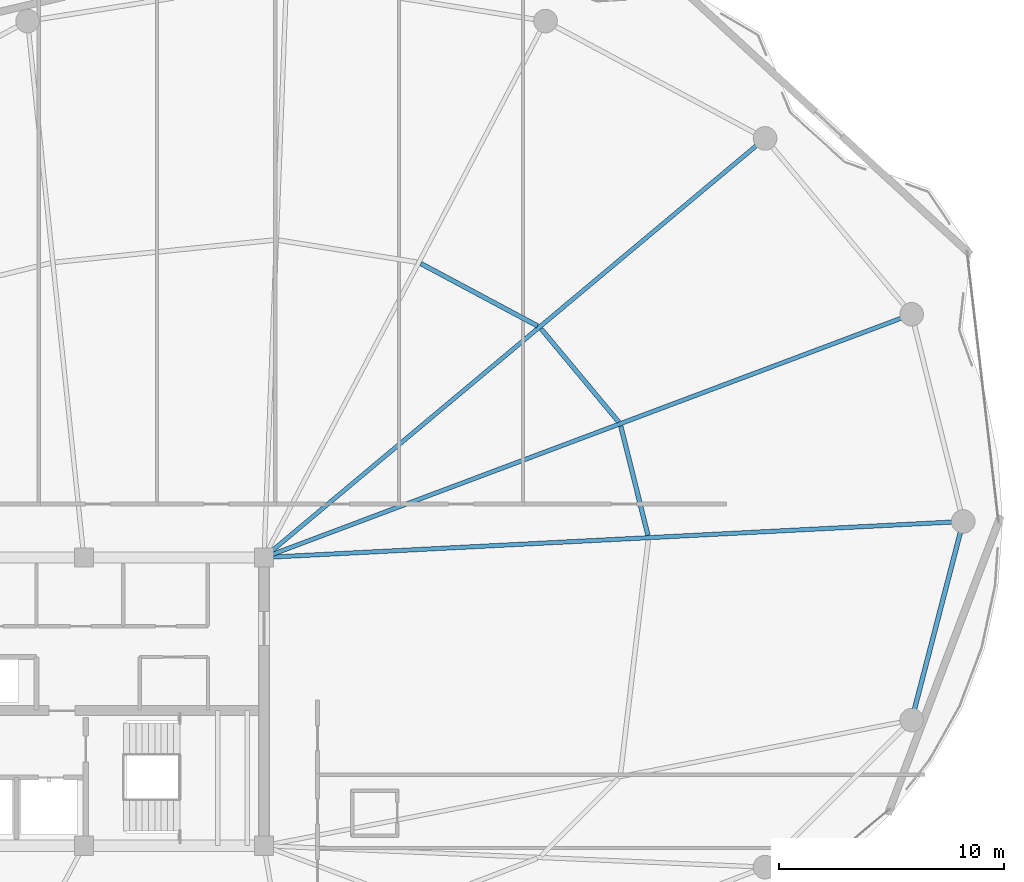
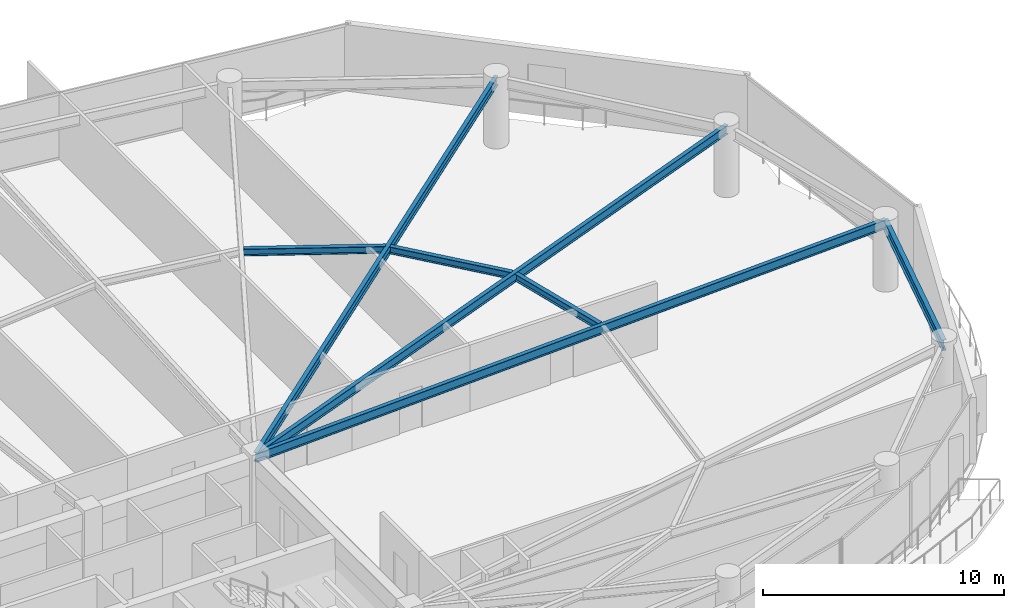
# One storey, part 15 of 31: 7 beams.
"""IFC4 building model written with IfcOpenShell, lengths in metres."""

from ifc_helpers import new_model, si_unit, direction, frame, origin, origin_2d, place, context, subcontext, project, spatial, i_section, extrude, material, material_profile, profile_set, type_object, element, save


model = new_model("IFC4")

# Units and contexts
model_context = context("Model", 3, precision=1e-05, world=origin(), true_north=direction((0.0, 1.0)))
body_context = subcontext(model_context, "Body", "Model", "MODEL_VIEW")
ifc_project = project(units=[si_unit("LENGTHUNIT", "METRE"), si_unit("AREAUNIT", "SQUARE_METRE"), si_unit("VOLUMEUNIT", "CUBIC_METRE"), si_unit("PLANEANGLEUNIT", "RADIAN"), si_unit("MASSUNIT", "GRAM", prefix="KILO")], contexts=[model_context])

# Site, building, storey
site_placement = place(None, origin())
site = spatial("IfcSite", under=ifc_project, at=site_placement, CompositionType="ELEMENT")
building_placement = place(site_placement, origin())
building = spatial("IfcBuilding", under=site, at=building_placement, Name="Kazevale Care Tower and Concert Hall", CompositionType="ELEMENT")
storey_placement = place(building_placement, frame((0.0, 0.0, 217.199951171875)))
storey = spatial("IfcBuildingStorey", under=building, at=storey_placement, Name="L57", CompositionType="ELEMENT", Elevation=217.199951171875)

# Beams
ifc_material = material(Name="Steel ASTM A572 Gr 50", Category="steel")
ifc_material_profile_1 = material_profile(ifc_material, i_section(OverallWidth=0.19091796875, OverallDepth=0.4599609375, WebThickness=0.010009765625, FlangeThickness=0.01611328125, at=origin_2d()), Name="W460x82")
ifc_profile_set_1 = profile_set([ifc_material_profile_1], Name="Steel ASTM A572 Gr 50")
beam_type_1 = type_object("IfcBeamType", Name="Radial Floor Beam W460x82", PredefinedType="BEAM", material=ifc_profile_set_1)
beam_1_placement = place(storey_placement, frame((44.0, 36.39990234375, 3.130126953125), z_axis=(0.998674821251, 0.051464564506, 0.0), x_axis=(-0.051464564506, 0.998674821251, 0.0)))
element("IfcBeam", 1, at=beam_1_placement, inside=storey, type_object=beam_type_1, Name="beam:L57:rad:01", PredefinedType="BEAM", context=body_context, shape_type="SweptSolid", body=[
    extrude(i_section(OverallWidth=0.19091796875, OverallDepth=0.4599609375, WebThickness=0.010009765625, FlangeThickness=0.01611328125, at=origin_2d()), origin(), (0.0, 0.0, 1.0), 31.09130859375),
])
beam_2_placement = place(storey_placement, frame((44.0, 36.39990234375, 3.130126953125), z_axis=(0.936168070124, 0.351552762015, 0.0), x_axis=(-0.351552762015, 0.936168070124, 0.0)))
element("IfcBeam", 2, at=beam_2_placement, inside=storey, type_object=beam_type_1, Name="beam:L57:rad:02", PredefinedType="BEAM", context=body_context, shape_type="SweptSolid", body=[
    extrude(i_section(OverallWidth=0.19091796875, OverallDepth=0.4599609375, WebThickness=0.010009765625, FlangeThickness=0.01611328125, at=origin_2d()), origin(), (0.0, 0.0, 1.0), 30.720947265625),
])
beam_3_placement = place(storey_placement, frame((44.0, 36.39990234375, 3.130126953125), z_axis=(0.767059624015, 0.64157582031, 0.0), x_axis=(-0.64157582031, 0.767059624015, 0.0)))
element("IfcBeam", 3, at=beam_3_placement, inside=storey, type_object=beam_type_1, Name="beam:L57:rad:03", PredefinedType="BEAM", context=body_context, shape_type="SweptSolid", body=[
    extrude(i_section(OverallWidth=0.19091796875, OverallDepth=0.4599609375, WebThickness=0.010009765625, FlangeThickness=0.01611328125, at=origin_2d()), origin(), (0.0, 0.0, 1.0), 29.0068359375),
])
ifc_material_profile_2 = material_profile(ifc_material, i_section(OverallWidth=0.205078125, OverallDepth=0.35400390625, WebThickness=0.009521484375, FlangeThickness=0.016845703125, at=origin_2d()), Name="W360x79")
ifc_profile_set_2 = profile_set([ifc_material_profile_2], Name="Steel ASTM A572 Gr 50")
beam_type_2 = type_object("IfcBeamType", Name="Secondary Floor Joist W360x79", PredefinedType="JOIST", material=ifc_profile_set_2)
beam_4_placement = place(storey_placement, frame((61.052001953125, 37.382080078125, 3.18310546875), z_axis=(-0.241594204931, 0.970377369967, 0.0), x_axis=(-0.970377369967, -0.241594204931, 0.0)))
element("IfcBeam", 4, at=beam_4_placement, inside=storey, type_object=beam_type_2, Name="beam:L57:joist:01", PredefinedType="JOIST", context=body_context, shape_type="SweptSolid", body=[
    extrude(i_section(OverallWidth=0.205078125, OverallDepth=0.35400390625, WebThickness=0.009521484375, FlangeThickness=0.016845703125, at=origin_2d()), origin(), (0.0, 0.0, 1.0), 5.004150390625),
])
beam_5_placement = place(storey_placement, frame((59.7509765625, 42.4208984375, 3.18310546875), z_axis=(-0.640295940788, 0.768128314939, 0.0), x_axis=(-0.768128314939, -0.640295940788, 0.0)))
element("IfcBeam", 5, at=beam_5_placement, inside=storey, type_object=beam_type_2, Name="beam:L57:joist:02", PredefinedType="JOIST", context=body_context, shape_type="SweptSolid", body=[
    extrude(i_section(OverallWidth=0.205078125, OverallDepth=0.35400390625, WebThickness=0.009521484375, FlangeThickness=0.016845703125, at=origin_2d()), origin(), (0.0, 0.0, 1.0), 5.3818359375),
])
beam_6_placement = place(storey_placement, frame((56.14501953125, 46.68505859375, 3.18310546875), z_axis=(-0.881943890935, 0.471354403016, 0.0), x_axis=(-0.471354403016, -0.881943890935, 0.0)))
element("IfcBeam", 6, at=beam_6_placement, inside=storey, type_object=beam_type_2, Name="beam:L57:joist:03", PredefinedType="JOIST", context=body_context, shape_type="SweptSolid", body=[
    extrude(i_section(OverallWidth=0.205078125, OverallDepth=0.35400390625, WebThickness=0.009521484375, FlangeThickness=0.016845703125, at=origin_2d()), origin(), (0.0, 0.0, 1.0), 5.869873046875),
])
ifc_material_profile_3 = material_profile(ifc_material, i_section(OverallWidth=0.208984375, OverallDepth=0.532958984375, WebThickness=0.01025390625, FlangeThickness=0.015625, at=origin_2d()), Name="W530x92")
ifc_profile_set_3 = profile_set([ifc_material_profile_3], Name="Steel ASTM A572 Gr 50")
beam_type_3 = type_object("IfcBeamType", Name="Upper Ring Beam W530x92", PredefinedType="BEAM", material=ifc_profile_set_3)
beam_7_placement = place(storey_placement, frame((72.760009765625, 29.179931640625, 3.093505859375), z_axis=(0.251307095899, 0.96790740443, 0.0), x_axis=(-0.96790740443, 0.251307095899, 0.0)))
element("IfcBeam", 7, at=beam_7_placement, inside=storey, type_object=beam_type_3, Name="beam:L57:ring:16", PredefinedType="BEAM", context=body_context, shape_type="SweptSolid", body=[
    extrude(i_section(OverallWidth=0.208984375, OverallDepth=0.532958984375, WebThickness=0.01025390625, FlangeThickness=0.015625, at=origin_2d()), origin(), (0.0, 0.0, 1.0), 9.112548828125),
])

save(model, "model.ifc")
